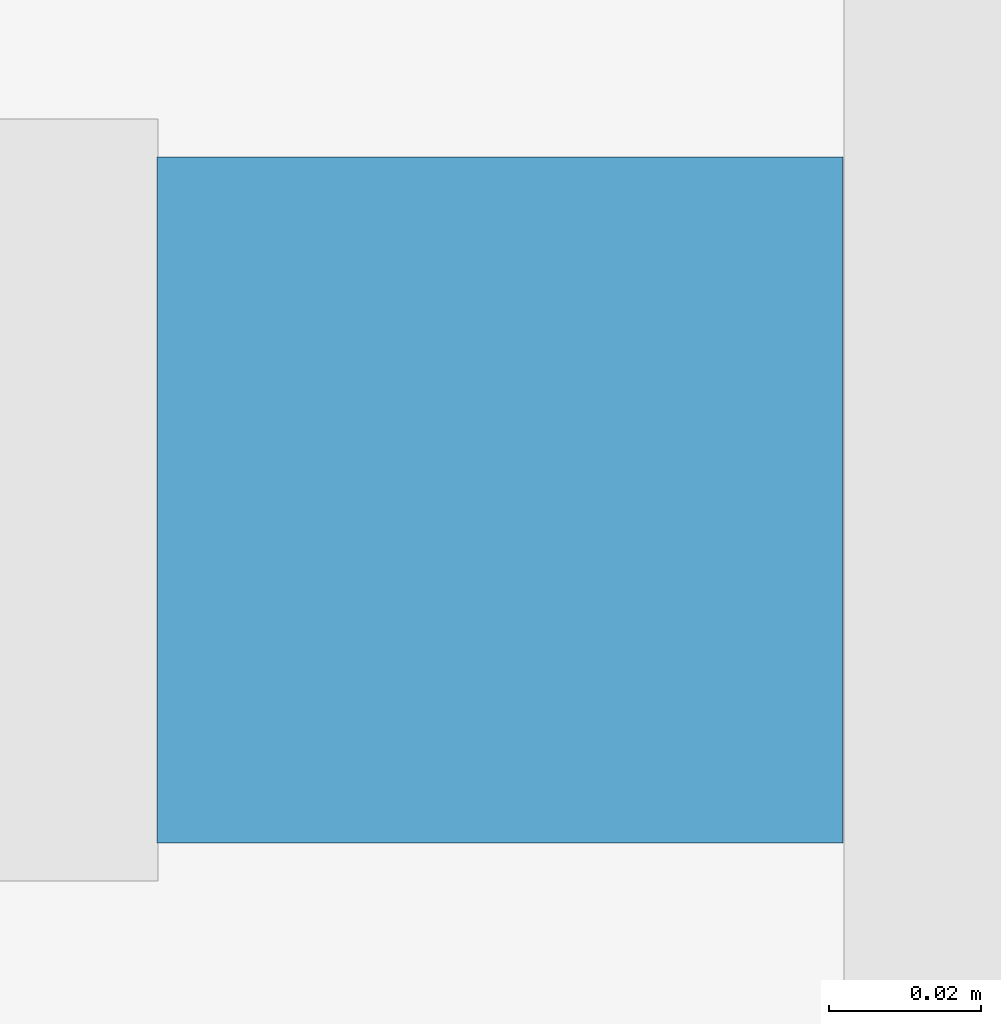
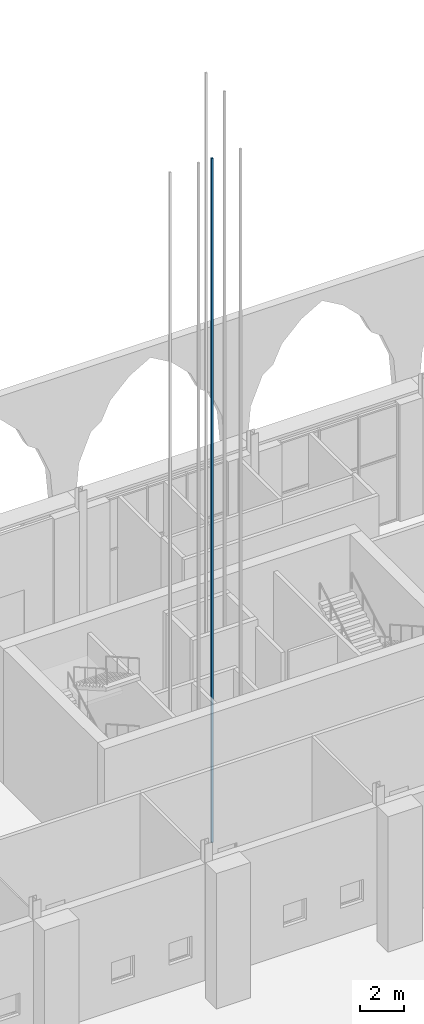
# One storey, part 148 of 250: 1 discrete accessory.
"""IFC4 building model written with IfcOpenShell, lengths in metres."""

from ifc_helpers import new_model, si_unit, direction, frame, origin, origin_2d, place, context, subcontext, project, spatial, rectangle, extrude, material, type_object, element, save


model = new_model("IFC4")

# Units and contexts
model_context = context("Model", 3, precision=1e-05, world=origin(), true_north=direction((0.0, 1.0)))
body_context = subcontext(model_context, "Body", "Model", "MODEL_VIEW")
ifc_project = project(units=[si_unit("LENGTHUNIT", "METRE"), si_unit("AREAUNIT", "SQUARE_METRE"), si_unit("VOLUMEUNIT", "CUBIC_METRE"), si_unit("PLANEANGLEUNIT", "RADIAN"), si_unit("MASSUNIT", "GRAM", prefix="KILO")], contexts=[model_context])

# Site, building, storey
site_placement = place(None, origin())
site = spatial("IfcSite", under=ifc_project, at=site_placement, CompositionType="ELEMENT")
building_placement = place(site_placement, origin())
building = spatial("IfcBuilding", under=site, at=building_placement, Name="Baradari Gate Terminus", CompositionType="ELEMENT")
storey_placement = place(building_placement, origin())
storey = spatial("IfcBuildingStorey", under=building, at=storey_placement, Name="L00", CompositionType="ELEMENT", Elevation=0.0)

# Discrete accessory
ifc_material = material(Name="Steel S355", Category="steel")
discrete_accessory_type = type_object("IfcDiscreteAccessoryType", Name="Lift guide rail GR-L1 90x90", PredefinedType="BRACKET", material=ifc_material)
discrete_accessory_placement = place(storey_placement, frame((33.679931640625, 128.074951171875, -1.599853515625), z_axis=(0.0, 0.0, 1.0), x_axis=(1.0, 0.0, 0.0)))
element("IfcDiscreteAccessory", 1, at=discrete_accessory_placement, inside=storey, type_object=discrete_accessory_type, Name="Lift guide rail LT2 1", PredefinedType="BRACKET", context=body_context, shape_type="SweptSolid", body=[
    extrude(rectangle(XDim=0.090087890625, YDim=0.090087890625, at=origin_2d()), origin(), (0.0, 0.0, 1.0), 37.89990234375),
])

save(model, "model.ifc")
